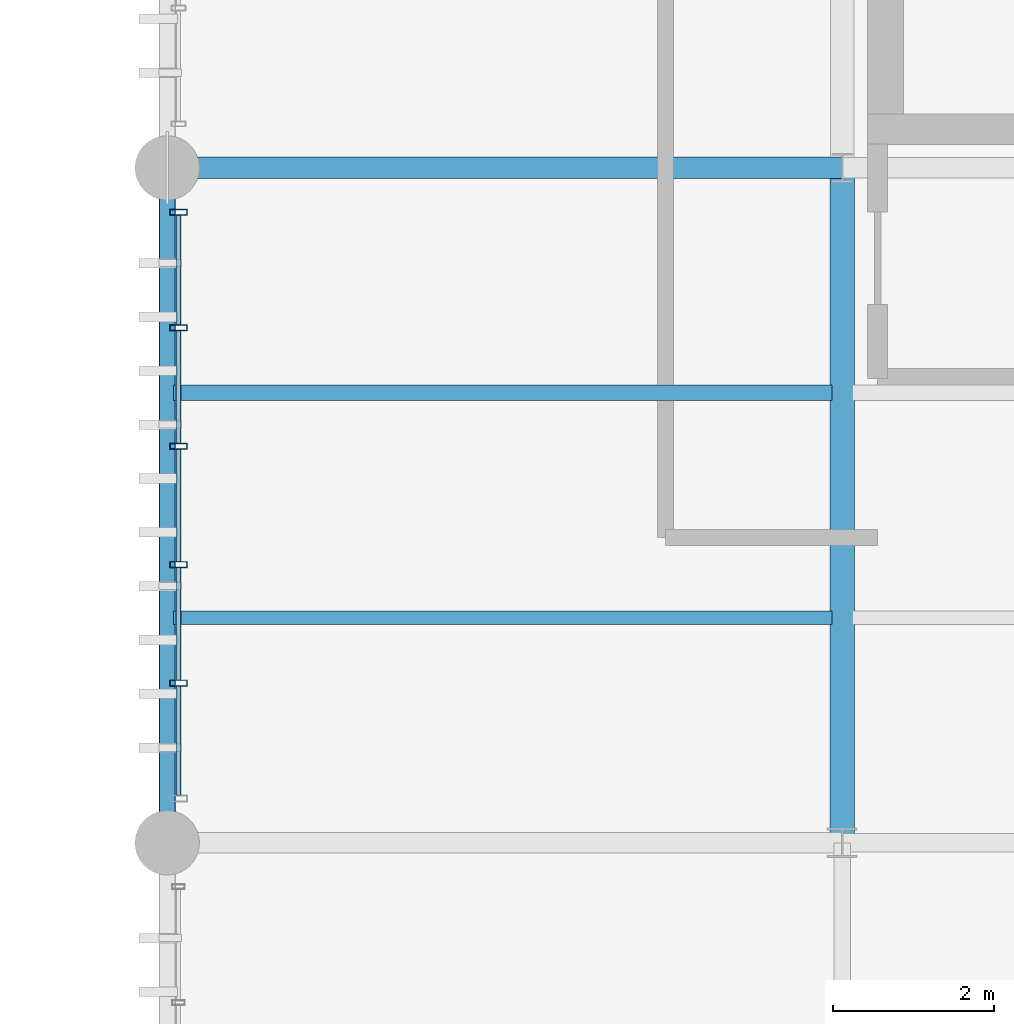
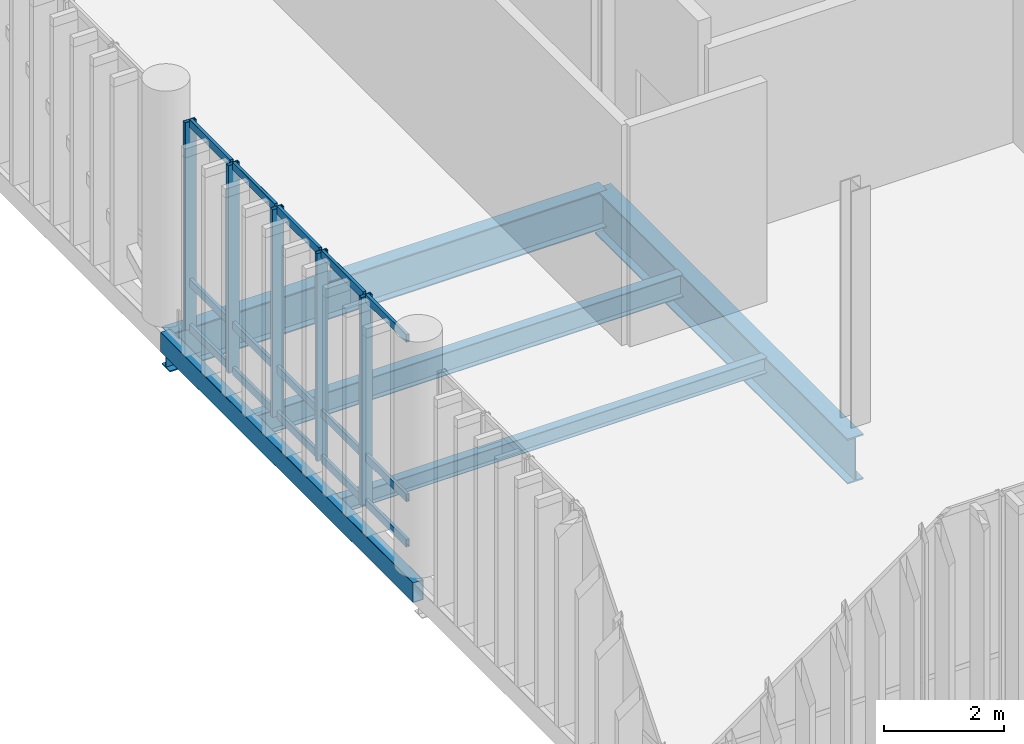
# One storey, part 55 of 94: 20 members, 5 beams, 1 element without a shape of its own.
"""IFC4 building model written with IfcOpenShell, lengths in metres."""

from ifc_helpers import new_model, si_unit, direction, frame, origin_with_axes, origin_2d_with_axis, place, context, subcontext, project, spatial, hollow_rectangle, i_section, extrude, material, material_profile, profile_set, type_object, element, aggregate, save


model = new_model("IFC4")

# Units and contexts
model_context = context("Model", 3, precision=1e-05, world=origin_with_axes(), true_north=direction((0.0, 1.0)))
body_context = subcontext(model_context, "Body", "Model", "MODEL_VIEW")
ifc_project = project(units=[si_unit("LENGTHUNIT", "METRE"), si_unit("AREAUNIT", "SQUARE_METRE"), si_unit("VOLUMEUNIT", "CUBIC_METRE"), si_unit("PLANEANGLEUNIT", "RADIAN"), si_unit("MASSUNIT", "GRAM", prefix="KILO"), si_unit("THERMODYNAMICTEMPERATUREUNIT", "KELVIN")], contexts=[model_context])

# Site, building, storey
site_placement = place(None, origin_with_axes())
site = spatial("IfcSite", under=ifc_project, at=site_placement, CompositionType="ELEMENT")
building_placement = place(site_placement, origin_with_axes())
building = spatial("IfcBuilding", under=site, at=building_placement, Name="Montbau Bow Law Courts", CompositionType="ELEMENT")
storey_placement = place(building_placement, frame((0.0, 0.0, 15.6), z_axis=(0.0, 0.0, 1.0), x_axis=(1.0, 0.0, 0.0)))
storey = spatial("IfcBuildingStorey", under=building, at=storey_placement, Name="L03", CompositionType="ELEMENT", Elevation=15.6)

# Beams
ifc_material_1 = material(Name="Steel CSA G40.21 Grade 350W (350 MPa)", Category="steel")
ifc_material_profile_1 = material_profile(ifc_material_1, i_section(OverallWidth=0.306, OverallDepth=0.919, WebThickness=0.0173, FlangeThickness=0.0279, at=origin_2d_with_axis()), Name="W920X253", Category="Main", Priority=0)
ifc_profile_set_1 = profile_set([ifc_material_profile_1], Name="Steel CSA G40.21 Grade 350W (350 MPa)")
beam_type_1 = type_object("IfcBeamType", Name="B-FLR-01", PredefinedType="BEAM", material=ifc_profile_set_1)
beam_1_placement = place(None, frame((147.0, 78.0, 14.8), z_axis=(0.0, 1.0, 0.0), x_axis=(-1.0, 0.0, 0.0)))
element("IfcBeam", 1, at=beam_1_placement, inside=storey, type_object=beam_type_1, Name="BM-L03-S1230:bm2_1233", PredefinedType="BEAM", context=body_context, shape_type="SweptSolid", body=[
    extrude(i_section(OverallWidth=0.306, OverallDepth=0.919, WebThickness=0.0173, FlangeThickness=0.0279, at=origin_2d_with_axis()), origin_with_axes(), (0.0, 0.0, 1.0), 8.4),
])
ifc_material_profile_2 = material_profile(ifc_material_1, i_section(OverallWidth=0.267, OverallDepth=0.766, WebThickness=0.0149, FlangeThickness=0.0236, at=origin_2d_with_axis()), Name="W760X185", Category="Main", Priority=0)
ifc_profile_set_2 = profile_set([ifc_material_profile_2], Name="Steel CSA G40.21 Grade 350W (350 MPa)")
beam_type_2 = type_object("IfcBeamType", Name="B-FLR-03", PredefinedType="BEAM", material=ifc_profile_set_2)
beam_2_placement = place(None, frame((138.6, 86.4, 14.877), z_axis=(1.0, 0.0, 0.0), x_axis=(0.0, 1.0, 0.0)))
element("IfcBeam", 2, at=beam_2_placement, inside=storey, type_object=beam_type_2, Name="BM-L03-S1213:bm2_1216", PredefinedType="BEAM", context=body_context, shape_type="SweptSolid", body=[
    extrude(i_section(OverallWidth=0.267, OverallDepth=0.766, WebThickness=0.0149, FlangeThickness=0.0236, at=origin_2d_with_axis()), origin_with_axes(), (0.0, 0.0, 1.0), 8.4),
])
ifc_material_profile_3 = material_profile(ifc_material_1, i_section(OverallWidth=0.191, OverallDepth=0.46, WebThickness=0.0099, FlangeThickness=0.016, at=origin_2d_with_axis()), Name="W460X82", Category="Main", Priority=0)
ifc_profile_set_3 = profile_set([ifc_material_profile_3], Name="Steel CSA G40.21 Grade 350W (350 MPa)")
beam_type_3 = type_object("IfcBeamType", Name="B-JST-01", PredefinedType="JOIST", material=ifc_profile_set_3)
beam_3_placement = place(None, frame((138.68, 83.6, 15.03), z_axis=(1.0, 0.0, 0.0), x_axis=(0.0, 1.0, 0.0)))
element("IfcBeam", 3, at=beam_3_placement, inside=storey, type_object=beam_type_3, Name="JST-L03-S0640:jst2_0640", PredefinedType="JOIST", context=body_context, shape_type="SweptSolid", body=[
    extrude(i_section(OverallWidth=0.191, OverallDepth=0.46, WebThickness=0.0099, FlangeThickness=0.016, at=origin_2d_with_axis()), origin_with_axes(), (0.0, 0.0, 1.0), 8.191),
])
ifc_material_profile_4 = material_profile(ifc_material_1, i_section(OverallWidth=0.166, OverallDepth=0.313, WebThickness=0.0066, FlangeThickness=0.0112, at=origin_2d_with_axis()), Name="W310X45", Category="Main", Priority=0)
ifc_profile_set_4 = profile_set([ifc_material_profile_4], Name="Steel CSA G40.21 Grade 350W (350 MPa)")
beam_type_4 = type_object("IfcBeamType", Name="B-JST-04", PredefinedType="JOIST", material=ifc_profile_set_4)
beam_4_placement = place(None, frame((138.68, 80.8, 15.104), z_axis=(1.0, 0.0, 0.0), x_axis=(0.0, 1.0, 0.0)))
element("IfcBeam", 4, at=beam_4_placement, inside=storey, type_object=beam_type_4, Name="JST-L03-S0639:jst2_0639", PredefinedType="JOIST", context=body_context, shape_type="SweptSolid", body=[
    extrude(i_section(OverallWidth=0.166, OverallDepth=0.313, WebThickness=0.0066, FlangeThickness=0.0112, at=origin_2d_with_axis()), origin_with_axes(), (0.0, 0.0, 1.0), 8.191),
])
ifc_material_2 = material(Name="Steel CSA G40.21 Grade 350WT (350 MPa)", Category="steel")
ifc_material_profile_5 = material_profile(ifc_material_2, hollow_rectangle(XDim=0.203, YDim=0.406, WallThickness=0.0127, InnerFilletRadius=0.0254, OuterFilletRadius=0.0127, at=origin_2d_with_axis()), Name="HSS406X203X13", Category="Main", Priority=0)
ifc_profile_set_5 = profile_set([ifc_material_profile_5], Name="Steel CSA G40.21 Grade 350WT (350 MPa)")
beam_type_5 = type_object("IfcBeamType", Name="B-SPN-01", PredefinedType="SPANDREL", material=ifc_profile_set_5)
beam_5_placement = place(None, frame((138.6, 78.0, 15.057), z_axis=(0.0, 1.0, 0.0), x_axis=(-1.0, 0.0, 0.0)))
element("IfcBeam", 5, at=beam_5_placement, inside=storey, type_object=beam_type_5, Name="SPN-L03-S1226:bm2_1229", PredefinedType="SPANDREL", context=body_context, shape_type="SweptSolid", body=[
    extrude(hollow_rectangle(XDim=0.203, YDim=0.406, WallThickness=0.0127, InnerFilletRadius=0.0254, OuterFilletRadius=0.0127, at=origin_2d_with_axis()), origin_with_axes(), (0.0, 0.0, 1.0), 8.4),
])

# Curtain wall, members
ifc_material_3 = material(Name="Thermally Broken Extruded Aluminium AA 6063-T6", Category="aluminium")
curtain_wall_type = type_object("IfcCurtainWallType", Name="CW-SLT-01", PredefinedType="NOTDEFINED", material=ifc_material_3)
curtain_wall_placement = place(None, frame((138.74, 78.515, 15.6), z_axis=(0.0, 0.0, 1.0), x_axis=(1.0, 0.0, 0.0)))
curtain_wall = element("IfcCurtainWall", 6, at=curtain_wall_placement, inside=storey, type_object=curtain_wall_type, Name="CW-L03-318:cw_0318", PredefinedType="NOTDEFINED")
ifc_material_profile_6 = material_profile(ifc_material_3, hollow_rectangle(XDim=0.075, YDim=0.22, WallThickness=0.005, InnerFilletRadius=0.01, OuterFilletRadius=0.005, at=origin_2d_with_axis()), Name="CWM-220X75", Category="Main", Priority=0)
ifc_profile_set_6 = profile_set([ifc_material_profile_6], Name="Thermally Broken Extruded Aluminium AA 6063-T6")
member_type_1 = type_object("IfcMemberType", Name="M-MUL-01", PredefinedType="MULLION", material=ifc_profile_set_6)
member_1_placement = place(None, frame((138.74, 79.989, 15.6), z_axis=(0.0, 0.0, 1.0), x_axis=(0.0, 1.0, 0.0)))
member_1 = element("IfcMember", 7, at=member_1_placement, type_object=member_type_1, Name="CW-L03-318-M02:cw_0318_M02", PredefinedType="MULLION", context=body_context, shape_type="SweptSolid", body=[
    extrude(hollow_rectangle(XDim=0.075, YDim=0.22, WallThickness=0.005, InnerFilletRadius=0.01, OuterFilletRadius=0.005, at=origin_2d_with_axis()), origin_with_axes(), (0.0, 0.0, 1.0), 4.22),
])
member_2_placement = place(None, frame((138.74, 81.463, 15.6), z_axis=(0.0, 0.0, 1.0), x_axis=(0.0, 1.0, 0.0)))
member_2 = element("IfcMember", 8, at=member_2_placement, type_object=member_type_1, Name="CW-L03-318-M03:cw_0318_M03", PredefinedType="MULLION", context=body_context, shape_type="SweptSolid", body=[
    extrude(hollow_rectangle(XDim=0.075, YDim=0.22, WallThickness=0.005, InnerFilletRadius=0.01, OuterFilletRadius=0.005, at=origin_2d_with_axis()), origin_with_axes(), (0.0, 0.0, 1.0), 4.22),
])
member_3_placement = place(None, frame((138.74, 82.937, 15.6), z_axis=(0.0, 0.0, 1.0), x_axis=(0.0, 1.0, 0.0)))
member_3 = element("IfcMember", 9, at=member_3_placement, type_object=member_type_1, Name="CW-L03-318-M04:cw_0318_M04", PredefinedType="MULLION", context=body_context, shape_type="SweptSolid", body=[
    extrude(hollow_rectangle(XDim=0.075, YDim=0.22, WallThickness=0.005, InnerFilletRadius=0.01, OuterFilletRadius=0.005, at=origin_2d_with_axis()), origin_with_axes(), (0.0, 0.0, 1.0), 4.22),
])
member_4_placement = place(None, frame((138.74, 84.411, 15.6), z_axis=(0.0, 0.0, 1.0), x_axis=(0.0, 1.0, 0.0)))
member_4 = element("IfcMember", 10, at=member_4_placement, type_object=member_type_1, Name="CW-L03-318-M05:cw_0318_M05", PredefinedType="MULLION", context=body_context, shape_type="SweptSolid", body=[
    extrude(hollow_rectangle(XDim=0.075, YDim=0.22, WallThickness=0.005, InnerFilletRadius=0.01, OuterFilletRadius=0.005, at=origin_2d_with_axis()), origin_with_axes(), (0.0, 0.0, 1.0), 4.22),
])
member_5_placement = place(None, frame((138.74, 85.848, 15.6), z_axis=(0.0, 0.0, 1.0), x_axis=(0.0, 1.0, 0.0)))
member_5 = element("IfcMember", 11, at=member_5_placement, type_object=member_type_1, Name="CW-L03-318-M06:cw_0318_M06", PredefinedType="MULLION", context=body_context, shape_type="SweptSolid", body=[
    extrude(hollow_rectangle(XDim=0.075, YDim=0.22, WallThickness=0.005, InnerFilletRadius=0.01, OuterFilletRadius=0.005, at=origin_2d_with_axis()), origin_with_axes(), (0.0, 0.0, 1.0), 4.22),
])
ifc_material_profile_7 = material_profile(ifc_material_3, hollow_rectangle(XDim=0.06, YDim=0.16, WallThickness=0.004, InnerFilletRadius=0.008, OuterFilletRadius=0.004, at=origin_2d_with_axis()), Name="CWT-160X60", Category="Main", Priority=0)
ifc_profile_set_7 = profile_set([ifc_material_profile_7], Name="Thermally Broken Extruded Aluminium AA 6063-T6")
member_type_2 = type_object("IfcMemberType", Name="M-TRN-01", PredefinedType="USERDEFINED", material=ifc_profile_set_7)
member_6_placement = place(None, frame((138.74, 78.591, 15.63), z_axis=(0.0, 1.0, 0.0), x_axis=(-1.0, 0.0, 0.0)))
member_6 = element("IfcMember", 12, at=member_6_placement, type_object=member_type_2, Name="CW-L03-318-T01-1:cw_0318_T01_1", ObjectType="TRANSOM", PredefinedType="USERDEFINED", context=body_context, shape_type="SweptSolid", body=[
    extrude(hollow_rectangle(XDim=0.06, YDim=0.16, WallThickness=0.004, InnerFilletRadius=0.008, OuterFilletRadius=0.004, at=origin_2d_with_axis()), origin_with_axes(), (0.0, 0.0, 1.0), 1.358),
])
member_7_placement = place(None, frame((138.74, 78.591, 16.55), z_axis=(0.0, 1.0, 0.0), x_axis=(-1.0, 0.0, 0.0)))
member_7 = element("IfcMember", 13, at=member_7_placement, type_object=member_type_2, Name="CW-L03-318-T01-2:cw_0318_T01_2", ObjectType="TRANSOM", PredefinedType="USERDEFINED", context=body_context, shape_type="SweptSolid", body=[
    extrude(hollow_rectangle(XDim=0.06, YDim=0.16, WallThickness=0.004, InnerFilletRadius=0.008, OuterFilletRadius=0.004, at=origin_2d_with_axis()), origin_with_axes(), (0.0, 0.0, 1.0), 1.358),
])
member_8_placement = place(None, frame((138.74, 78.591, 19.79), z_axis=(0.0, 1.0, 0.0), x_axis=(-1.0, 0.0, 0.0)))
member_8 = element("IfcMember", 14, at=member_8_placement, type_object=member_type_2, Name="CW-L03-318-T01-3:cw_0318_T01_3", ObjectType="TRANSOM", PredefinedType="USERDEFINED", context=body_context, shape_type="SweptSolid", body=[
    extrude(hollow_rectangle(XDim=0.06, YDim=0.16, WallThickness=0.004, InnerFilletRadius=0.008, OuterFilletRadius=0.004, at=origin_2d_with_axis()), origin_with_axes(), (0.0, 0.0, 1.0), 1.358),
])
member_9_placement = place(None, frame((138.74, 80.029, 15.63), z_axis=(0.0, 1.0, 0.0), x_axis=(-1.0, 0.0, 0.0)))
member_9 = element("IfcMember", 15, at=member_9_placement, type_object=member_type_2, Name="CW-L03-318-T02-1:cw_0318_T02_1", ObjectType="TRANSOM", PredefinedType="USERDEFINED", context=body_context, shape_type="SweptSolid", body=[
    extrude(hollow_rectangle(XDim=0.06, YDim=0.16, WallThickness=0.004, InnerFilletRadius=0.008, OuterFilletRadius=0.004, at=origin_2d_with_axis()), origin_with_axes(), (0.0, 0.0, 1.0), 1.395),
])
member_10_placement = place(None, frame((138.74, 80.029, 16.55), z_axis=(0.0, 1.0, 0.0), x_axis=(-1.0, 0.0, 0.0)))
member_10 = element("IfcMember", 16, at=member_10_placement, type_object=member_type_2, Name="CW-L03-318-T02-2:cw_0318_T02_2", ObjectType="TRANSOM", PredefinedType="USERDEFINED", context=body_context, shape_type="SweptSolid", body=[
    extrude(hollow_rectangle(XDim=0.06, YDim=0.16, WallThickness=0.004, InnerFilletRadius=0.008, OuterFilletRadius=0.004, at=origin_2d_with_axis()), origin_with_axes(), (0.0, 0.0, 1.0), 1.395),
])
member_11_placement = place(None, frame((138.74, 80.029, 19.79), z_axis=(0.0, 1.0, 0.0), x_axis=(-1.0, 0.0, 0.0)))
member_11 = element("IfcMember", 17, at=member_11_placement, type_object=member_type_2, Name="CW-L03-318-T02-3:cw_0318_T02_3", ObjectType="TRANSOM", PredefinedType="USERDEFINED", context=body_context, shape_type="SweptSolid", body=[
    extrude(hollow_rectangle(XDim=0.06, YDim=0.16, WallThickness=0.004, InnerFilletRadius=0.008, OuterFilletRadius=0.004, at=origin_2d_with_axis()), origin_with_axes(), (0.0, 0.0, 1.0), 1.395),
])
member_12_placement = place(None, frame((138.74, 81.502, 15.63), z_axis=(0.0, 1.0, 0.0), x_axis=(-1.0, 0.0, 0.0)))
member_12 = element("IfcMember", 18, at=member_12_placement, type_object=member_type_2, Name="CW-L03-318-T03-1:cw_0318_T03_1", ObjectType="TRANSOM", PredefinedType="USERDEFINED", context=body_context, shape_type="SweptSolid", body=[
    extrude(hollow_rectangle(XDim=0.06, YDim=0.16, WallThickness=0.004, InnerFilletRadius=0.008, OuterFilletRadius=0.004, at=origin_2d_with_axis()), origin_with_axes(), (0.0, 0.0, 1.0), 1.396),
])
member_13_placement = place(None, frame((138.74, 81.502, 16.55), z_axis=(0.0, 1.0, 0.0), x_axis=(-1.0, 0.0, 0.0)))
member_13 = element("IfcMember", 19, at=member_13_placement, type_object=member_type_2, Name="CW-L03-318-T03-2:cw_0318_T03_2", ObjectType="TRANSOM", PredefinedType="USERDEFINED", context=body_context, shape_type="SweptSolid", body=[
    extrude(hollow_rectangle(XDim=0.06, YDim=0.16, WallThickness=0.004, InnerFilletRadius=0.008, OuterFilletRadius=0.004, at=origin_2d_with_axis()), origin_with_axes(), (0.0, 0.0, 1.0), 1.396),
])
member_14_placement = place(None, frame((138.74, 81.502, 19.79), z_axis=(0.0, 1.0, 0.0), x_axis=(-1.0, 0.0, 0.0)))
member_14 = element("IfcMember", 20, at=member_14_placement, type_object=member_type_2, Name="CW-L03-318-T03-3:cw_0318_T03_3", ObjectType="TRANSOM", PredefinedType="USERDEFINED", context=body_context, shape_type="SweptSolid", body=[
    extrude(hollow_rectangle(XDim=0.06, YDim=0.16, WallThickness=0.004, InnerFilletRadius=0.008, OuterFilletRadius=0.004, at=origin_2d_with_axis()), origin_with_axes(), (0.0, 0.0, 1.0), 1.396),
])
member_15_placement = place(None, frame((138.74, 82.976, 15.63), z_axis=(0.0, 1.0, 0.0), x_axis=(-1.0, 0.0, 0.0)))
member_15 = element("IfcMember", 21, at=member_15_placement, type_object=member_type_2, Name="CW-L03-318-T04-1:cw_0318_T04_1", ObjectType="TRANSOM", PredefinedType="USERDEFINED", context=body_context, shape_type="SweptSolid", body=[
    extrude(hollow_rectangle(XDim=0.06, YDim=0.16, WallThickness=0.004, InnerFilletRadius=0.008, OuterFilletRadius=0.004, at=origin_2d_with_axis()), origin_with_axes(), (0.0, 0.0, 1.0), 1.396),
])
member_16_placement = place(None, frame((138.74, 82.976, 16.55), z_axis=(0.0, 1.0, 0.0), x_axis=(-1.0, 0.0, 0.0)))
member_16 = element("IfcMember", 22, at=member_16_placement, type_object=member_type_2, Name="CW-L03-318-T04-2:cw_0318_T04_2", ObjectType="TRANSOM", PredefinedType="USERDEFINED", context=body_context, shape_type="SweptSolid", body=[
    extrude(hollow_rectangle(XDim=0.06, YDim=0.16, WallThickness=0.004, InnerFilletRadius=0.008, OuterFilletRadius=0.004, at=origin_2d_with_axis()), origin_with_axes(), (0.0, 0.0, 1.0), 1.396),
])
member_17_placement = place(None, frame((138.74, 82.976, 19.79), z_axis=(0.0, 1.0, 0.0), x_axis=(-1.0, 0.0, 0.0)))
member_17 = element("IfcMember", 23, at=member_17_placement, type_object=member_type_2, Name="CW-L03-318-T04-3:cw_0318_T04_3", ObjectType="TRANSOM", PredefinedType="USERDEFINED", context=body_context, shape_type="SweptSolid", body=[
    extrude(hollow_rectangle(XDim=0.06, YDim=0.16, WallThickness=0.004, InnerFilletRadius=0.008, OuterFilletRadius=0.004, at=origin_2d_with_axis()), origin_with_axes(), (0.0, 0.0, 1.0), 1.396),
])
member_18_placement = place(None, frame((138.74, 84.45, 15.63), z_axis=(0.0, 1.0, 0.0), x_axis=(-1.0, 0.0, 0.0)))
member_18 = element("IfcMember", 24, at=member_18_placement, type_object=member_type_2, Name="CW-L03-318-T05-1:cw_0318_T05_1", ObjectType="TRANSOM", PredefinedType="USERDEFINED", context=body_context, shape_type="SweptSolid", body=[
    extrude(hollow_rectangle(XDim=0.06, YDim=0.16, WallThickness=0.004, InnerFilletRadius=0.008, OuterFilletRadius=0.004, at=origin_2d_with_axis()), origin_with_axes(), (0.0, 0.0, 1.0), 1.359),
])
member_19_placement = place(None, frame((138.74, 84.45, 16.55), z_axis=(0.0, 1.0, 0.0), x_axis=(-1.0, 0.0, 0.0)))
member_19 = element("IfcMember", 25, at=member_19_placement, type_object=member_type_2, Name="CW-L03-318-T05-2:cw_0318_T05_2", ObjectType="TRANSOM", PredefinedType="USERDEFINED", context=body_context, shape_type="SweptSolid", body=[
    extrude(hollow_rectangle(XDim=0.06, YDim=0.16, WallThickness=0.004, InnerFilletRadius=0.008, OuterFilletRadius=0.004, at=origin_2d_with_axis()), origin_with_axes(), (0.0, 0.0, 1.0), 1.359),
])
member_20_placement = place(None, frame((138.74, 84.45, 19.79), z_axis=(0.0, 1.0, 0.0), x_axis=(-1.0, 0.0, 0.0)))
member_20 = element("IfcMember", 26, at=member_20_placement, type_object=member_type_2, Name="CW-L03-318-T05-3:cw_0318_T05_3", ObjectType="TRANSOM", PredefinedType="USERDEFINED", context=body_context, shape_type="SweptSolid", body=[
    extrude(hollow_rectangle(XDim=0.06, YDim=0.16, WallThickness=0.004, InnerFilletRadius=0.008, OuterFilletRadius=0.004, at=origin_2d_with_axis()), origin_with_axes(), (0.0, 0.0, 1.0), 1.359),
])
aggregate(curtain_wall, [member_1, member_2, member_3, member_4, member_5, member_6, member_7, member_8, member_9, member_10, member_11, member_12, member_13, member_14, member_15, member_16, member_17, member_18, member_19, member_20])

save(model, "model.ifc")
